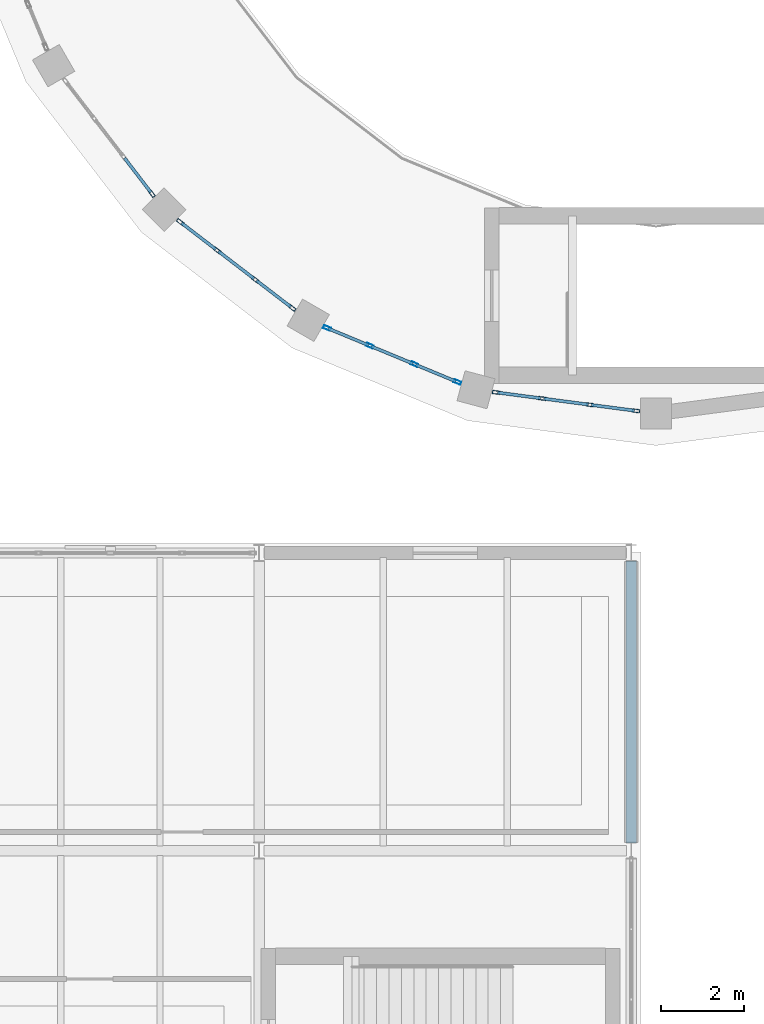
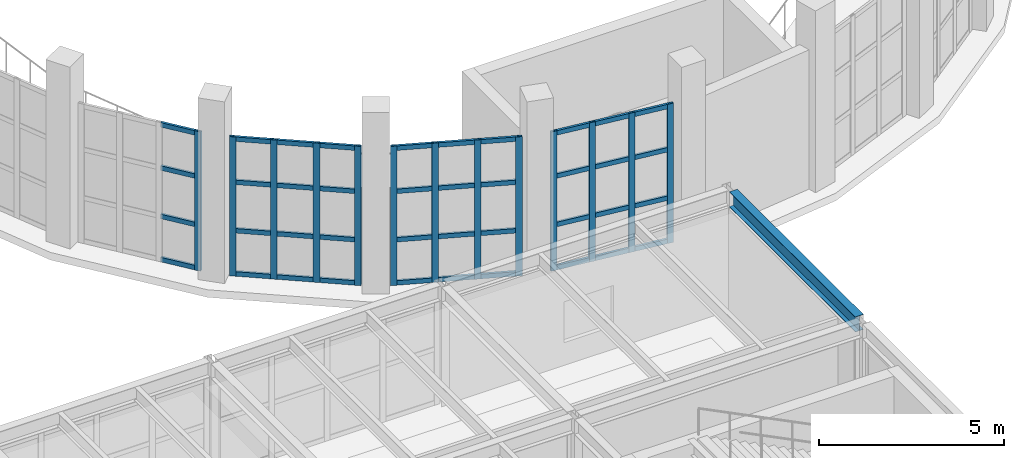
# One storey, part 25 of 59: 53 members, 1 beam, 4 elements without a shape of their own.
"""IFC4 building model written with IfcOpenShell, lengths in metres."""

from ifc_helpers import new_model, si_unit, direction, frame, origin, origin_2d, place, context, subcontext, project, spatial, hollow_rectangle, i_section, extrude, material, layer, layer_set, material_profile, profile_set, type_object, element, aggregate, save


model = new_model("IFC4")

# Units and contexts
model_context = context("Model", 3, precision=1e-05, world=origin(), true_north=direction((0.0, 1.0)))
body_context = subcontext(model_context, "Body", "Model", "MODEL_VIEW")
ifc_project = project(units=[si_unit("LENGTHUNIT", "METRE"), si_unit("AREAUNIT", "SQUARE_METRE"), si_unit("VOLUMEUNIT", "CUBIC_METRE"), si_unit("PLANEANGLEUNIT", "RADIAN"), si_unit("MASSUNIT", "GRAM", prefix="KILO")], contexts=[model_context])

# Site, building, storey
site_placement = place(None, origin())
site = spatial("IfcSite", under=ifc_project, at=site_placement, CompositionType="ELEMENT")
building_placement = place(site_placement, origin())
building = spatial("IfcBuilding", under=site, at=building_placement, Name="Kandorven Conservatory and Botanical Research Centre", CompositionType="ELEMENT")
storey_placement = place(building_placement, frame((0.0, 0.0, 4.800048828125)))
storey = spatial("IfcBuildingStorey", under=building, at=storey_placement, Name="L01", CompositionType="ELEMENT", Elevation=4.800048828125)

# Beam
ifc_material_1 = material(Name="Steel S355 (IS 2062 E350)", Category="steel")
ifc_material_profile_1 = material_profile(ifc_material_1, i_section(OverallWidth=0.25, OverallDepth=0.5, WebThickness=0.010009765625, FlangeThickness=0.0146484375, at=origin_2d()))
ifc_profile_set_1 = profile_set([ifc_material_profile_1], Name="Steel S355 (IS 2062 E350)")
beam_type = type_object("IfcBeamType", Name="Beam_FG-02", PredefinedType="USERDEFINED", material=ifc_profile_set_1)
beam_placement = place(storey_placement, frame((87.0, 20.590087890625, 3.699951171875), z_axis=(0.0, 1.0, 0.0), x_axis=(-1.0, 0.0, 0.0)))
element("IfcBeam", 1, at=beam_placement, inside=storey, type_object=beam_type, Name="Primary girder FG-02 VIS L01", ObjectType="GIRDER", PredefinedType="USERDEFINED", context=body_context, shape_type="SweptSolid", body=[
    extrude(i_section(OverallWidth=0.25, OverallDepth=0.5, WebThickness=0.010009765625, FlangeThickness=0.0146484375, at=origin_2d()), origin(), (0.0, 0.0, 1.0), 6.81982421875),
])

# Curtain wall, member
ifc_material_2 = material(Name="Bronze anodised thermally broken aluminium", Category="aluminium")
ifc_layer = layer(ifc_material_2, 0.179931640625)
ifc_layer_set = layer_set([ifc_layer], Name="Bronze anodised thermally broken aluminium")
curtain_wall_type = type_object("IfcCurtainWallType", Name="CW_Clerestory", PredefinedType="USERDEFINED", material=ifc_layer_set)
curtain_wall_1_placement = place(storey_placement, origin())
curtain_wall_1 = element("IfcCurtainWall", 2, at=curtain_wall_1_placement, inside=storey, type_object=curtain_wall_type, Name="Conservatory drum clerestory glazing CW-DRUM-L01-15", ObjectType="CLERESTORY GLAZING", PredefinedType="USERDEFINED")
ifc_material_3 = material(Name="Bronze anodised thermally broken aluminium", Category="aluminium")
ifc_material_profile_2 = material_profile(ifc_material_3, hollow_rectangle(XDim=0.080078125, YDim=0.179931640625, WallThickness=0.006103515625, at=origin_2d()))
ifc_profile_set_2 = profile_set([ifc_material_profile_2], Name="Bronze anodised thermally broken aluminium")
member_type_1 = type_object("IfcMemberType", Name="CW_Mullion", PredefinedType="MULLION", material=ifc_profile_set_2)
member_1_placement = place(storey_placement, frame((75.404541015625, 36.291748046875, 0.0), z_axis=(0.0, 0.0, 1.0), x_axis=(0.793347276456, 0.608769331471, 0.0)))
member_1 = element("IfcMember", 3, at=member_1_placement, type_object=member_type_1, Name="CW-02 mullion 4", PredefinedType="MULLION", context=body_context, shape_type="SweptSolid", body=[
    extrude(hollow_rectangle(XDim=0.080078125, YDim=0.179931640625, WallThickness=0.006103515625, at=origin_2d()), origin(), (0.0, 0.0, 1.0), 4.599853515625),
])

# Curtain wall, members
curtain_wall_2_placement = place(storey_placement, origin())
curtain_wall_2 = element("IfcCurtainWall", 4, at=curtain_wall_2_placement, inside=storey, type_object=curtain_wall_type, Name="Conservatory drum clerestory glazing CW-DRUM-L01-16", ObjectType="CLERESTORY GLAZING", PredefinedType="USERDEFINED")
member_2_placement = place(storey_placement, frame((76.091552734375, 35.604736328125, 0.0), z_axis=(0.0, 0.0, 1.0), x_axis=(0.608769331471, 0.793347276456, 0.0)))
member_2 = element("IfcMember", 5, at=member_2_placement, type_object=member_type_1, Name="CW-02 mullion 1", PredefinedType="MULLION", context=body_context, shape_type="SweptSolid", body=[
    extrude(hollow_rectangle(XDim=0.080078125, YDim=0.179931640625, WallThickness=0.006103515625, at=origin_2d()), origin(), (0.0, 0.0, 1.0), 4.599853515625),
])
member_3_placement = place(storey_placement, frame((76.9833984375, 34.92041015625, 0.0), z_axis=(0.0, 0.0, 1.0), x_axis=(0.608769331471, 0.793347276456, 0.0)))
member_3 = element("IfcMember", 6, at=member_3_placement, type_object=member_type_1, Name="CW-02 mullion 2", PredefinedType="MULLION", context=body_context, shape_type="SweptSolid", body=[
    extrude(hollow_rectangle(XDim=0.080078125, YDim=0.179931640625, WallThickness=0.006103515625, at=origin_2d()), origin(), (0.0, 0.0, 1.0), 4.599853515625),
])
member_4_placement = place(storey_placement, frame((77.906982421875, 34.211669921875, 0.0), z_axis=(0.0, 0.0, 1.0), x_axis=(0.608769331471, 0.793347276456, 0.0)))
member_4 = element("IfcMember", 7, at=member_4_placement, type_object=member_type_1, Name="CW-02 mullion 3", PredefinedType="MULLION", context=body_context, shape_type="SweptSolid", body=[
    extrude(hollow_rectangle(XDim=0.080078125, YDim=0.179931640625, WallThickness=0.006103515625, at=origin_2d()), origin(), (0.0, 0.0, 1.0), 4.599853515625),
])
member_5_placement = place(storey_placement, frame((78.798828125, 33.52734375, 0.0), z_axis=(0.0, 0.0, 1.0), x_axis=(0.608769331471, 0.793347276456, 0.0)))
member_5 = element("IfcMember", 8, at=member_5_placement, type_object=member_type_1, Name="CW-02 mullion 4", PredefinedType="MULLION", context=body_context, shape_type="SweptSolid", body=[
    extrude(hollow_rectangle(XDim=0.080078125, YDim=0.179931640625, WallThickness=0.006103515625, at=origin_2d()), origin(), (0.0, 0.0, 1.0), 4.599853515625),
])

curtain_wall_3_placement = place(storey_placement, origin())
curtain_wall_3 = element("IfcCurtainWall", 9, at=curtain_wall_3_placement, inside=storey, type_object=curtain_wall_type, Name="Conservatory drum clerestory glazing CW-DRUM-L01-17", ObjectType="CLERESTORY GLAZING", PredefinedType="USERDEFINED")
member_6_placement = place(storey_placement, frame((79.64013671875, 33.04150390625, 0.0), z_axis=(0.0, 0.0, 1.0), x_axis=(0.382668753353, 0.92388561262, 0.0)))
member_6 = element("IfcMember", 10, at=member_6_placement, type_object=member_type_1, Name="CW-02 mullion 1", PredefinedType="MULLION", context=body_context, shape_type="SweptSolid", body=[
    extrude(hollow_rectangle(XDim=0.080078125, YDim=0.179931640625, WallThickness=0.006103515625, at=origin_2d()), origin(), (0.0, 0.0, 1.0), 4.599853515625),
])
member_7_placement = place(storey_placement, frame((80.6787109375, 32.611328125, 0.0), z_axis=(0.0, 0.0, 1.0), x_axis=(0.382668753353, 0.92388561262, 0.0)))
member_7 = element("IfcMember", 11, at=member_7_placement, type_object=member_type_1, Name="CW-02 mullion 2", PredefinedType="MULLION", context=body_context, shape_type="SweptSolid", body=[
    extrude(hollow_rectangle(XDim=0.080078125, YDim=0.179931640625, WallThickness=0.006103515625, at=origin_2d()), origin(), (0.0, 0.0, 1.0), 4.599853515625),
])
member_8_placement = place(storey_placement, frame((81.754150390625, 32.166015625, 0.0), z_axis=(0.0, 0.0, 1.0), x_axis=(0.382668753353, 0.92388561262, 0.0)))
member_8 = element("IfcMember", 12, at=member_8_placement, type_object=member_type_1, Name="CW-02 mullion 3", PredefinedType="MULLION", context=body_context, shape_type="SweptSolid", body=[
    extrude(hollow_rectangle(XDim=0.080078125, YDim=0.179931640625, WallThickness=0.006103515625, at=origin_2d()), origin(), (0.0, 0.0, 1.0), 4.599853515625),
])
member_9_placement = place(storey_placement, frame((82.792724609375, 31.73583984375, 0.0), z_axis=(0.0, 0.0, 1.0), x_axis=(0.382668753353, 0.92388561262, 0.0)))
member_9 = element("IfcMember", 13, at=member_9_placement, type_object=member_type_1, Name="CW-02 mullion 4", PredefinedType="MULLION", context=body_context, shape_type="SweptSolid", body=[
    extrude(hollow_rectangle(XDim=0.080078125, YDim=0.179931640625, WallThickness=0.006103515625, at=origin_2d()), origin(), (0.0, 0.0, 1.0), 4.599853515625),
])

curtain_wall_4_placement = place(storey_placement, origin())
curtain_wall_4 = element("IfcCurtainWall", 14, at=curtain_wall_4_placement, inside=storey, type_object=curtain_wall_type, Name="Conservatory drum clerestory glazing CW-DRUM-L01-18", ObjectType="CLERESTORY GLAZING", PredefinedType="USERDEFINED")
member_10_placement = place(storey_placement, frame((83.731201171875, 31.484375, 0.0), z_axis=(0.0, 0.0, 1.0), x_axis=(0.130552292075, 0.991441424913, 0.0)))
member_10 = element("IfcMember", 15, at=member_10_placement, type_object=member_type_1, Name="CW-02 mullion 1", PredefinedType="MULLION", context=body_context, shape_type="SweptSolid", body=[
    extrude(hollow_rectangle(XDim=0.080078125, YDim=0.179931640625, WallThickness=0.006103515625, at=origin_2d()), origin(), (0.0, 0.0, 1.0), 4.599853515625),
])
member_11_placement = place(storey_placement, frame((84.845703125, 31.337646484375, 0.0), z_axis=(0.0, 0.0, 1.0), x_axis=(0.130552292075, 0.991441424913, 0.0)))
member_11 = element("IfcMember", 16, at=member_11_placement, type_object=member_type_1, Name="CW-02 mullion 2", PredefinedType="MULLION", context=body_context, shape_type="SweptSolid", body=[
    extrude(hollow_rectangle(XDim=0.080078125, YDim=0.179931640625, WallThickness=0.006103515625, at=origin_2d()), origin(), (0.0, 0.0, 1.0), 4.599853515625),
])
member_12_placement = place(storey_placement, frame((85.999755859375, 31.185546875, 0.0), z_axis=(0.0, 0.0, 1.0), x_axis=(0.130552292075, 0.991441424913, 0.0)))
member_12 = element("IfcMember", 17, at=member_12_placement, type_object=member_type_1, Name="CW-02 mullion 3", PredefinedType="MULLION", context=body_context, shape_type="SweptSolid", body=[
    extrude(hollow_rectangle(XDim=0.080078125, YDim=0.179931640625, WallThickness=0.006103515625, at=origin_2d()), origin(), (0.0, 0.0, 1.0), 4.599853515625),
])
member_13_placement = place(storey_placement, frame((87.1142578125, 31.038818359375, 0.0), z_axis=(0.0, 0.0, 1.0), x_axis=(0.130552292075, 0.991441424913, 0.0)))
member_13 = element("IfcMember", 18, at=member_13_placement, type_object=member_type_1, Name="CW-02 mullion 4", PredefinedType="MULLION", context=body_context, shape_type="SweptSolid", body=[
    extrude(hollow_rectangle(XDim=0.080078125, YDim=0.179931640625, WallThickness=0.006103515625, at=origin_2d()), origin(), (0.0, 0.0, 1.0), 4.599853515625),
])

# Member
ifc_material_4 = material(Name="Bronze anodised thermally broken aluminium", Category="aluminium")
ifc_material_profile_3 = material_profile(ifc_material_4, hollow_rectangle(XDim=0.074951171875, YDim=0.14990234375, WallThickness=0.006103515625, at=origin_2d()))
ifc_profile_set_3 = profile_set([ifc_material_profile_3], Name="Bronze anodised thermally broken aluminium")
member_type_2 = type_object("IfcMemberType", Name="CW_Transom", PredefinedType="USERDEFINED", material=ifc_profile_set_3)
member_14_placement = place(storey_placement, frame((74.74462890625, 37.151611328125, 0.074951171875), z_axis=(0.608941990108, -0.793214758236, 0.0), x_axis=(0.793214758236, 0.608941990108, 0.0)))
member_14 = element("IfcMember", 19, at=member_14_placement, type_object=member_type_2, Name="CW-02 transom 3.1", ObjectType="TRANSOM", PredefinedType="USERDEFINED", context=body_context, shape_type="SweptSolid", body=[
    extrude(hollow_rectangle(XDim=0.074951171875, YDim=0.14990234375, WallThickness=0.006103515625, at=origin_2d()), origin(), (0.0, 0.0, 1.0), 1.0439453125),
])

member_15_placement = place(storey_placement, frame((74.74462890625, 37.151611328125, 1.5), z_axis=(0.608941990108, -0.793214758236, 0.0), x_axis=(0.793214758236, 0.608941990108, 0.0)))
member_15 = element("IfcMember", 20, at=member_15_placement, type_object=member_type_2, Name="CW-02 transom 3.2", ObjectType="TRANSOM", PredefinedType="USERDEFINED", context=body_context, shape_type="SweptSolid", body=[
    extrude(hollow_rectangle(XDim=0.074951171875, YDim=0.14990234375, WallThickness=0.006103515625, at=origin_2d()), origin(), (0.0, 0.0, 1.0), 1.0439453125),
])

member_16_placement = place(storey_placement, frame((74.74462890625, 37.151611328125, 3.099853515625), z_axis=(0.608941990108, -0.793214758236, 0.0), x_axis=(0.793214758236, 0.608941990108, 0.0)))
member_16 = element("IfcMember", 21, at=member_16_placement, type_object=member_type_2, Name="CW-02 transom 3.3", ObjectType="TRANSOM", PredefinedType="USERDEFINED", context=body_context, shape_type="SweptSolid", body=[
    extrude(hollow_rectangle(XDim=0.074951171875, YDim=0.14990234375, WallThickness=0.006103515625, at=origin_2d()), origin(), (0.0, 0.0, 1.0), 1.0439453125),
])

member_17_placement = place(storey_placement, frame((74.74462890625, 37.151611328125, 4.52490234375), z_axis=(0.608941990108, -0.793214758236, 0.0), x_axis=(0.793214758236, 0.608941990108, 0.0)))
member_17 = element("IfcMember", 22, at=member_17_placement, type_object=member_type_2, Name="CW-02 transom 3.4", ObjectType="TRANSOM", PredefinedType="USERDEFINED", context=body_context, shape_type="SweptSolid", body=[
    extrude(hollow_rectangle(XDim=0.074951171875, YDim=0.14990234375, WallThickness=0.006103515625, at=origin_2d()), origin(), (0.0, 0.0, 1.0), 1.0439453125),
])

aggregate(curtain_wall_1, [member_1, member_14, member_15, member_16, member_17])

member_18_placement = place(storey_placement, frame((76.123291015625, 35.580322265625, 0.074951171875), z_axis=(0.793301447628, -0.608829050876, 0.0), x_axis=(0.608829050876, 0.793301447628, 0.0)))
member_18 = element("IfcMember", 23, at=member_18_placement, type_object=member_type_2, Name="CW-02 transom 1.1", ObjectType="TRANSOM", PredefinedType="USERDEFINED", context=body_context, shape_type="SweptSolid", body=[
    extrude(hollow_rectangle(XDim=0.074951171875, YDim=0.14990234375, WallThickness=0.006103515625, at=origin_2d()), origin(), (0.0, 0.0, 1.0), 1.044189453125),
])

member_19_placement = place(storey_placement, frame((76.123291015625, 35.580322265625, 1.5), z_axis=(0.793301447628, -0.608829050876, 0.0), x_axis=(0.608829050876, 0.793301447628, 0.0)))
member_19 = element("IfcMember", 24, at=member_19_placement, type_object=member_type_2, Name="CW-02 transom 1.2", ObjectType="TRANSOM", PredefinedType="USERDEFINED", context=body_context, shape_type="SweptSolid", body=[
    extrude(hollow_rectangle(XDim=0.074951171875, YDim=0.14990234375, WallThickness=0.006103515625, at=origin_2d()), origin(), (0.0, 0.0, 1.0), 1.044189453125),
])

member_20_placement = place(storey_placement, frame((76.123291015625, 35.580322265625, 3.099853515625), z_axis=(0.793301447628, -0.608829050876, 0.0), x_axis=(0.608829050876, 0.793301447628, 0.0)))
member_20 = element("IfcMember", 25, at=member_20_placement, type_object=member_type_2, Name="CW-02 transom 1.3", ObjectType="TRANSOM", PredefinedType="USERDEFINED", context=body_context, shape_type="SweptSolid", body=[
    extrude(hollow_rectangle(XDim=0.074951171875, YDim=0.14990234375, WallThickness=0.006103515625, at=origin_2d()), origin(), (0.0, 0.0, 1.0), 1.044189453125),
])

member_21_placement = place(storey_placement, frame((76.123291015625, 35.580322265625, 4.52490234375), z_axis=(0.793301447628, -0.608829050876, 0.0), x_axis=(0.608829050876, 0.793301447628, 0.0)))
member_21 = element("IfcMember", 26, at=member_21_placement, type_object=member_type_2, Name="CW-02 transom 1.4", ObjectType="TRANSOM", PredefinedType="USERDEFINED", context=body_context, shape_type="SweptSolid", body=[
    extrude(hollow_rectangle(XDim=0.074951171875, YDim=0.14990234375, WallThickness=0.006103515625, at=origin_2d()), origin(), (0.0, 0.0, 1.0), 1.044189453125),
])

member_22_placement = place(storey_placement, frame((77.01513671875, 34.89599609375, 0.074951171875), z_axis=(0.793385204739, -0.608719900201, 0.0), x_axis=(0.608719900201, 0.793385204739, 0.0)))
member_22 = element("IfcMember", 27, at=member_22_placement, type_object=member_type_2, Name="CW-02 transom 2.1", ObjectType="TRANSOM", PredefinedType="USERDEFINED", context=body_context, shape_type="SweptSolid", body=[
    extrude(hollow_rectangle(XDim=0.074951171875, YDim=0.14990234375, WallThickness=0.006103515625, at=origin_2d()), origin(), (0.0, 0.0, 1.0), 1.083984375),
])

member_23_placement = place(storey_placement, frame((77.01513671875, 34.89599609375, 1.5), z_axis=(0.793385204739, -0.608719900201, 0.0), x_axis=(0.608719900201, 0.793385204739, 0.0)))
member_23 = element("IfcMember", 28, at=member_23_placement, type_object=member_type_2, Name="CW-02 transom 2.2", ObjectType="TRANSOM", PredefinedType="USERDEFINED", context=body_context, shape_type="SweptSolid", body=[
    extrude(hollow_rectangle(XDim=0.074951171875, YDim=0.14990234375, WallThickness=0.006103515625, at=origin_2d()), origin(), (0.0, 0.0, 1.0), 1.083984375),
])

member_24_placement = place(storey_placement, frame((77.01513671875, 34.89599609375, 3.099853515625), z_axis=(0.793385204739, -0.608719900201, 0.0), x_axis=(0.608719900201, 0.793385204739, 0.0)))
member_24 = element("IfcMember", 29, at=member_24_placement, type_object=member_type_2, Name="CW-02 transom 2.3", ObjectType="TRANSOM", PredefinedType="USERDEFINED", context=body_context, shape_type="SweptSolid", body=[
    extrude(hollow_rectangle(XDim=0.074951171875, YDim=0.14990234375, WallThickness=0.006103515625, at=origin_2d()), origin(), (0.0, 0.0, 1.0), 1.083984375),
])

member_25_placement = place(storey_placement, frame((77.01513671875, 34.89599609375, 4.52490234375), z_axis=(0.793385204739, -0.608719900201, 0.0), x_axis=(0.608719900201, 0.793385204739, 0.0)))
member_25 = element("IfcMember", 30, at=member_25_placement, type_object=member_type_2, Name="CW-02 transom 2.4", ObjectType="TRANSOM", PredefinedType="USERDEFINED", context=body_context, shape_type="SweptSolid", body=[
    extrude(hollow_rectangle(XDim=0.074951171875, YDim=0.14990234375, WallThickness=0.006103515625, at=origin_2d()), origin(), (0.0, 0.0, 1.0), 1.083984375),
])

member_26_placement = place(storey_placement, frame((77.938720703125, 34.187255859375, 0.074951171875), z_axis=(0.793414374508, -0.608681879412, 0.0), x_axis=(0.608681879412, 0.793414374508, 0.0)))
member_26 = element("IfcMember", 31, at=member_26_placement, type_object=member_type_2, Name="CW-02 transom 3.1", ObjectType="TRANSOM", PredefinedType="USERDEFINED", context=body_context, shape_type="SweptSolid", body=[
    extrude(hollow_rectangle(XDim=0.074951171875, YDim=0.14990234375, WallThickness=0.006103515625, at=origin_2d()), origin(), (0.0, 0.0, 1.0), 1.0439453125),
])

member_27_placement = place(storey_placement, frame((77.938720703125, 34.187255859375, 1.5), z_axis=(0.793414374508, -0.608681879412, 0.0), x_axis=(0.608681879412, 0.793414374508, 0.0)))
member_27 = element("IfcMember", 32, at=member_27_placement, type_object=member_type_2, Name="CW-02 transom 3.2", ObjectType="TRANSOM", PredefinedType="USERDEFINED", context=body_context, shape_type="SweptSolid", body=[
    extrude(hollow_rectangle(XDim=0.074951171875, YDim=0.14990234375, WallThickness=0.006103515625, at=origin_2d()), origin(), (0.0, 0.0, 1.0), 1.0439453125),
])

member_28_placement = place(storey_placement, frame((77.938720703125, 34.187255859375, 3.099853515625), z_axis=(0.793414374508, -0.608681879412, 0.0), x_axis=(0.608681879412, 0.793414374508, 0.0)))
member_28 = element("IfcMember", 33, at=member_28_placement, type_object=member_type_2, Name="CW-02 transom 3.3", ObjectType="TRANSOM", PredefinedType="USERDEFINED", context=body_context, shape_type="SweptSolid", body=[
    extrude(hollow_rectangle(XDim=0.074951171875, YDim=0.14990234375, WallThickness=0.006103515625, at=origin_2d()), origin(), (0.0, 0.0, 1.0), 1.0439453125),
])

member_29_placement = place(storey_placement, frame((77.938720703125, 34.187255859375, 4.52490234375), z_axis=(0.793414374508, -0.608681879412, 0.0), x_axis=(0.608681879412, 0.793414374508, 0.0)))
member_29 = element("IfcMember", 34, at=member_29_placement, type_object=member_type_2, Name="CW-02 transom 3.4", ObjectType="TRANSOM", PredefinedType="USERDEFINED", context=body_context, shape_type="SweptSolid", body=[
    extrude(hollow_rectangle(XDim=0.074951171875, YDim=0.14990234375, WallThickness=0.006103515625, at=origin_2d()), origin(), (0.0, 0.0, 1.0), 1.0439453125),
])

aggregate(curtain_wall_2, [member_2, member_3, member_4, member_5, member_18, member_19, member_20, member_21, member_22, member_23, member_24, member_25, member_26, member_27, member_28, member_29])

member_30_placement = place(storey_placement, frame((79.677001953125, 33.0263671875, 0.074951171875), z_axis=(0.92387721812, -0.382689019753, 0.0), x_axis=(0.382689019753, 0.92387721812, 0.0)))
member_30 = element("IfcMember", 35, at=member_30_placement, type_object=member_type_2, Name="CW-02 transom 1.1", ObjectType="TRANSOM", PredefinedType="USERDEFINED", context=body_context, shape_type="SweptSolid", body=[
    extrude(hollow_rectangle(XDim=0.074951171875, YDim=0.14990234375, WallThickness=0.006103515625, at=origin_2d()), origin(), (0.0, 0.0, 1.0), 1.04443359375),
])

member_31_placement = place(storey_placement, frame((79.677001953125, 33.0263671875, 1.5), z_axis=(0.92387721812, -0.382689019753, 0.0), x_axis=(0.382689019753, 0.92387721812, 0.0)))
member_31 = element("IfcMember", 36, at=member_31_placement, type_object=member_type_2, Name="CW-02 transom 1.2", ObjectType="TRANSOM", PredefinedType="USERDEFINED", context=body_context, shape_type="SweptSolid", body=[
    extrude(hollow_rectangle(XDim=0.074951171875, YDim=0.14990234375, WallThickness=0.006103515625, at=origin_2d()), origin(), (0.0, 0.0, 1.0), 1.04443359375),
])

member_32_placement = place(storey_placement, frame((79.677001953125, 33.0263671875, 3.099853515625), z_axis=(0.92387721812, -0.382689019753, 0.0), x_axis=(0.382689019753, 0.92387721812, 0.0)))
member_32 = element("IfcMember", 37, at=member_32_placement, type_object=member_type_2, Name="CW-02 transom 1.3", ObjectType="TRANSOM", PredefinedType="USERDEFINED", context=body_context, shape_type="SweptSolid", body=[
    extrude(hollow_rectangle(XDim=0.074951171875, YDim=0.14990234375, WallThickness=0.006103515625, at=origin_2d()), origin(), (0.0, 0.0, 1.0), 1.04443359375),
])

member_33_placement = place(storey_placement, frame((79.677001953125, 33.0263671875, 4.52490234375), z_axis=(0.92387721812, -0.382689019753, 0.0), x_axis=(0.382689019753, 0.92387721812, 0.0)))
member_33 = element("IfcMember", 38, at=member_33_placement, type_object=member_type_2, Name="CW-02 transom 1.4", ObjectType="TRANSOM", PredefinedType="USERDEFINED", context=body_context, shape_type="SweptSolid", body=[
    extrude(hollow_rectangle(XDim=0.074951171875, YDim=0.14990234375, WallThickness=0.006103515625, at=origin_2d()), origin(), (0.0, 0.0, 1.0), 1.04443359375),
])

member_34_placement = place(storey_placement, frame((80.715576171875, 32.59619140625, 0.074951171875), z_axis=(0.923841176954, -0.382776017749, 0.0), x_axis=(0.382776017749, 0.923841176954, 0.0)))
member_34 = element("IfcMember", 39, at=member_34_placement, type_object=member_type_2, Name="CW-02 transom 2.1", ObjectType="TRANSOM", PredefinedType="USERDEFINED", context=body_context, shape_type="SweptSolid", body=[
    extrude(hollow_rectangle(XDim=0.074951171875, YDim=0.14990234375, WallThickness=0.006103515625, at=origin_2d()), origin(), (0.0, 0.0, 1.0), 1.084228515625),
])

member_35_placement = place(storey_placement, frame((80.715576171875, 32.59619140625, 1.5), z_axis=(0.923841176954, -0.382776017749, 0.0), x_axis=(0.382776017749, 0.923841176954, 0.0)))
member_35 = element("IfcMember", 40, at=member_35_placement, type_object=member_type_2, Name="CW-02 transom 2.2", ObjectType="TRANSOM", PredefinedType="USERDEFINED", context=body_context, shape_type="SweptSolid", body=[
    extrude(hollow_rectangle(XDim=0.074951171875, YDim=0.14990234375, WallThickness=0.006103515625, at=origin_2d()), origin(), (0.0, 0.0, 1.0), 1.084228515625),
])

member_36_placement = place(storey_placement, frame((80.715576171875, 32.59619140625, 3.099853515625), z_axis=(0.923841176954, -0.382776017749, 0.0), x_axis=(0.382776017749, 0.923841176954, 0.0)))
member_36 = element("IfcMember", 41, at=member_36_placement, type_object=member_type_2, Name="CW-02 transom 2.3", ObjectType="TRANSOM", PredefinedType="USERDEFINED", context=body_context, shape_type="SweptSolid", body=[
    extrude(hollow_rectangle(XDim=0.074951171875, YDim=0.14990234375, WallThickness=0.006103515625, at=origin_2d()), origin(), (0.0, 0.0, 1.0), 1.084228515625),
])

member_37_placement = place(storey_placement, frame((80.715576171875, 32.59619140625, 4.52490234375), z_axis=(0.923841176954, -0.382776017749, 0.0), x_axis=(0.382776017749, 0.923841176954, 0.0)))
member_37 = element("IfcMember", 42, at=member_37_placement, type_object=member_type_2, Name="CW-02 transom 2.4", ObjectType="TRANSOM", PredefinedType="USERDEFINED", context=body_context, shape_type="SweptSolid", body=[
    extrude(hollow_rectangle(XDim=0.074951171875, YDim=0.14990234375, WallThickness=0.006103515625, at=origin_2d()), origin(), (0.0, 0.0, 1.0), 1.084228515625),
])

member_38_placement = place(storey_placement, frame((81.791259765625, 32.150634765625, 0.074951171875), z_axis=(0.923925641819, -0.382572095676, 0.0), x_axis=(0.382572095676, 0.923925641819, 0.0)))
member_38 = element("IfcMember", 43, at=member_38_placement, type_object=member_type_2, Name="CW-02 transom 3.1", ObjectType="TRANSOM", PredefinedType="USERDEFINED", context=body_context, shape_type="SweptSolid", body=[
    extrude(hollow_rectangle(XDim=0.074951171875, YDim=0.14990234375, WallThickness=0.006103515625, at=origin_2d()), origin(), (0.0, 0.0, 1.0), 1.0439453125),
])

member_39_placement = place(storey_placement, frame((81.791259765625, 32.150634765625, 1.5), z_axis=(0.923925641819, -0.382572095676, 0.0), x_axis=(0.382572095676, 0.923925641819, 0.0)))
member_39 = element("IfcMember", 44, at=member_39_placement, type_object=member_type_2, Name="CW-02 transom 3.2", ObjectType="TRANSOM", PredefinedType="USERDEFINED", context=body_context, shape_type="SweptSolid", body=[
    extrude(hollow_rectangle(XDim=0.074951171875, YDim=0.14990234375, WallThickness=0.006103515625, at=origin_2d()), origin(), (0.0, 0.0, 1.0), 1.0439453125),
])

member_40_placement = place(storey_placement, frame((81.791259765625, 32.150634765625, 3.099853515625), z_axis=(0.923925641819, -0.382572095676, 0.0), x_axis=(0.382572095676, 0.923925641819, 0.0)))
member_40 = element("IfcMember", 45, at=member_40_placement, type_object=member_type_2, Name="CW-02 transom 3.3", ObjectType="TRANSOM", PredefinedType="USERDEFINED", context=body_context, shape_type="SweptSolid", body=[
    extrude(hollow_rectangle(XDim=0.074951171875, YDim=0.14990234375, WallThickness=0.006103515625, at=origin_2d()), origin(), (0.0, 0.0, 1.0), 1.0439453125),
])

member_41_placement = place(storey_placement, frame((81.791259765625, 32.150634765625, 4.52490234375), z_axis=(0.923925641819, -0.382572095676, 0.0), x_axis=(0.382572095676, 0.923925641819, 0.0)))
member_41 = element("IfcMember", 46, at=member_41_placement, type_object=member_type_2, Name="CW-02 transom 3.4", ObjectType="TRANSOM", PredefinedType="USERDEFINED", context=body_context, shape_type="SweptSolid", body=[
    extrude(hollow_rectangle(XDim=0.074951171875, YDim=0.14990234375, WallThickness=0.006103515625, at=origin_2d()), origin(), (0.0, 0.0, 1.0), 1.0439453125),
])

aggregate(curtain_wall_3, [member_6, member_7, member_8, member_9, member_30, member_31, member_32, member_33, member_34, member_35, member_36, member_37, member_38, member_39, member_40, member_41])

member_42_placement = place(storey_placement, frame((83.77099609375, 31.479248046875, 0.074951171875), z_axis=(0.991416840353, -0.130738856749, 0.0), x_axis=(0.130738856749, 0.991416840353, 0.0)))
member_42 = element("IfcMember", 47, at=member_42_placement, type_object=member_type_2, Name="CW-02 transom 1.1", ObjectType="TRANSOM", PredefinedType="USERDEFINED", context=body_context, shape_type="SweptSolid", body=[
    extrude(hollow_rectangle(XDim=0.074951171875, YDim=0.14990234375, WallThickness=0.006103515625, at=origin_2d()), origin(), (0.0, 0.0, 1.0), 1.0439453125),
])

member_43_placement = place(storey_placement, frame((83.77099609375, 31.479248046875, 1.5), z_axis=(0.991416840353, -0.130738856749, 0.0), x_axis=(0.130738856749, 0.991416840353, 0.0)))
member_43 = element("IfcMember", 48, at=member_43_placement, type_object=member_type_2, Name="CW-02 transom 1.2", ObjectType="TRANSOM", PredefinedType="USERDEFINED", context=body_context, shape_type="SweptSolid", body=[
    extrude(hollow_rectangle(XDim=0.074951171875, YDim=0.14990234375, WallThickness=0.006103515625, at=origin_2d()), origin(), (0.0, 0.0, 1.0), 1.0439453125),
])

member_44_placement = place(storey_placement, frame((83.77099609375, 31.479248046875, 3.099853515625), z_axis=(0.991416840353, -0.130738856749, 0.0), x_axis=(0.130738856749, 0.991416840353, 0.0)))
member_44 = element("IfcMember", 49, at=member_44_placement, type_object=member_type_2, Name="CW-02 transom 1.3", ObjectType="TRANSOM", PredefinedType="USERDEFINED", context=body_context, shape_type="SweptSolid", body=[
    extrude(hollow_rectangle(XDim=0.074951171875, YDim=0.14990234375, WallThickness=0.006103515625, at=origin_2d()), origin(), (0.0, 0.0, 1.0), 1.0439453125),
])

member_45_placement = place(storey_placement, frame((83.77099609375, 31.479248046875, 4.52490234375), z_axis=(0.991416840353, -0.130738856749, 0.0), x_axis=(0.130738856749, 0.991416840353, 0.0)))
member_45 = element("IfcMember", 50, at=member_45_placement, type_object=member_type_2, Name="CW-02 transom 1.4", ObjectType="TRANSOM", PredefinedType="USERDEFINED", context=body_context, shape_type="SweptSolid", body=[
    extrude(hollow_rectangle(XDim=0.074951171875, YDim=0.14990234375, WallThickness=0.006103515625, at=origin_2d()), origin(), (0.0, 0.0, 1.0), 1.0439453125),
])

member_46_placement = place(storey_placement, frame((84.88525390625, 31.33251953125, 0.074951171875), z_axis=(0.991431282562, -0.130629292114, 0.0), x_axis=(0.130629292114, 0.991431282562, 0.0)))
member_46 = element("IfcMember", 51, at=member_46_placement, type_object=member_type_2, Name="CW-02 transom 2.1", ObjectType="TRANSOM", PredefinedType="USERDEFINED", context=body_context, shape_type="SweptSolid", body=[
    extrude(hollow_rectangle(XDim=0.074951171875, YDim=0.14990234375, WallThickness=0.006103515625, at=origin_2d()), origin(), (0.0, 0.0, 1.0), 1.083984375),
])

member_47_placement = place(storey_placement, frame((84.88525390625, 31.33251953125, 1.5), z_axis=(0.991431282562, -0.130629292114, 0.0), x_axis=(0.130629292114, 0.991431282562, 0.0)))
member_47 = element("IfcMember", 52, at=member_47_placement, type_object=member_type_2, Name="CW-02 transom 2.2", ObjectType="TRANSOM", PredefinedType="USERDEFINED", context=body_context, shape_type="SweptSolid", body=[
    extrude(hollow_rectangle(XDim=0.074951171875, YDim=0.14990234375, WallThickness=0.006103515625, at=origin_2d()), origin(), (0.0, 0.0, 1.0), 1.083984375),
])

member_48_placement = place(storey_placement, frame((84.88525390625, 31.33251953125, 3.099853515625), z_axis=(0.991431282562, -0.130629292114, 0.0), x_axis=(0.130629292114, 0.991431282562, 0.0)))
member_48 = element("IfcMember", 53, at=member_48_placement, type_object=member_type_2, Name="CW-02 transom 2.3", ObjectType="TRANSOM", PredefinedType="USERDEFINED", context=body_context, shape_type="SweptSolid", body=[
    extrude(hollow_rectangle(XDim=0.074951171875, YDim=0.14990234375, WallThickness=0.006103515625, at=origin_2d()), origin(), (0.0, 0.0, 1.0), 1.083984375),
])

member_49_placement = place(storey_placement, frame((84.88525390625, 31.33251953125, 4.52490234375), z_axis=(0.991431282562, -0.130629292114, 0.0), x_axis=(0.130629292114, 0.991431282562, 0.0)))
member_49 = element("IfcMember", 54, at=member_49_placement, type_object=member_type_2, Name="CW-02 transom 2.4", ObjectType="TRANSOM", PredefinedType="USERDEFINED", context=body_context, shape_type="SweptSolid", body=[
    extrude(hollow_rectangle(XDim=0.074951171875, YDim=0.14990234375, WallThickness=0.006103515625, at=origin_2d()), origin(), (0.0, 0.0, 1.0), 1.083984375),
])

member_50_placement = place(storey_placement, frame((86.039306640625, 31.180419921875, 0.074951171875), z_axis=(0.991451111683, -0.130478707622, 0.0), x_axis=(0.130478707622, 0.991451111683, 0.0)))
member_50 = element("IfcMember", 55, at=member_50_placement, type_object=member_type_2, Name="CW-02 transom 3.1", ObjectType="TRANSOM", PredefinedType="USERDEFINED", context=body_context, shape_type="SweptSolid", body=[
    extrude(hollow_rectangle(XDim=0.074951171875, YDim=0.14990234375, WallThickness=0.006103515625, at=origin_2d()), origin(), (0.0, 0.0, 1.0), 1.044189453125),
])

member_51_placement = place(storey_placement, frame((86.039306640625, 31.180419921875, 1.5), z_axis=(0.991451111683, -0.130478707622, 0.0), x_axis=(0.130478707622, 0.991451111683, 0.0)))
member_51 = element("IfcMember", 56, at=member_51_placement, type_object=member_type_2, Name="CW-02 transom 3.2", ObjectType="TRANSOM", PredefinedType="USERDEFINED", context=body_context, shape_type="SweptSolid", body=[
    extrude(hollow_rectangle(XDim=0.074951171875, YDim=0.14990234375, WallThickness=0.006103515625, at=origin_2d()), origin(), (0.0, 0.0, 1.0), 1.044189453125),
])

member_52_placement = place(storey_placement, frame((86.039306640625, 31.180419921875, 3.099853515625), z_axis=(0.991451111683, -0.130478707622, 0.0), x_axis=(0.130478707622, 0.991451111683, 0.0)))
member_52 = element("IfcMember", 57, at=member_52_placement, type_object=member_type_2, Name="CW-02 transom 3.3", ObjectType="TRANSOM", PredefinedType="USERDEFINED", context=body_context, shape_type="SweptSolid", body=[
    extrude(hollow_rectangle(XDim=0.074951171875, YDim=0.14990234375, WallThickness=0.006103515625, at=origin_2d()), origin(), (0.0, 0.0, 1.0), 1.044189453125),
])

member_53_placement = place(storey_placement, frame((86.039306640625, 31.180419921875, 4.52490234375), z_axis=(0.991451111683, -0.130478707622, 0.0), x_axis=(0.130478707622, 0.991451111683, 0.0)))
member_53 = element("IfcMember", 58, at=member_53_placement, type_object=member_type_2, Name="CW-02 transom 3.4", ObjectType="TRANSOM", PredefinedType="USERDEFINED", context=body_context, shape_type="SweptSolid", body=[
    extrude(hollow_rectangle(XDim=0.074951171875, YDim=0.14990234375, WallThickness=0.006103515625, at=origin_2d()), origin(), (0.0, 0.0, 1.0), 1.044189453125),
])

aggregate(curtain_wall_4, [member_10, member_11, member_12, member_13, member_42, member_43, member_44, member_45, member_46, member_47, member_48, member_49, member_50, member_51, member_52, member_53])

save(model, "model.ifc")
